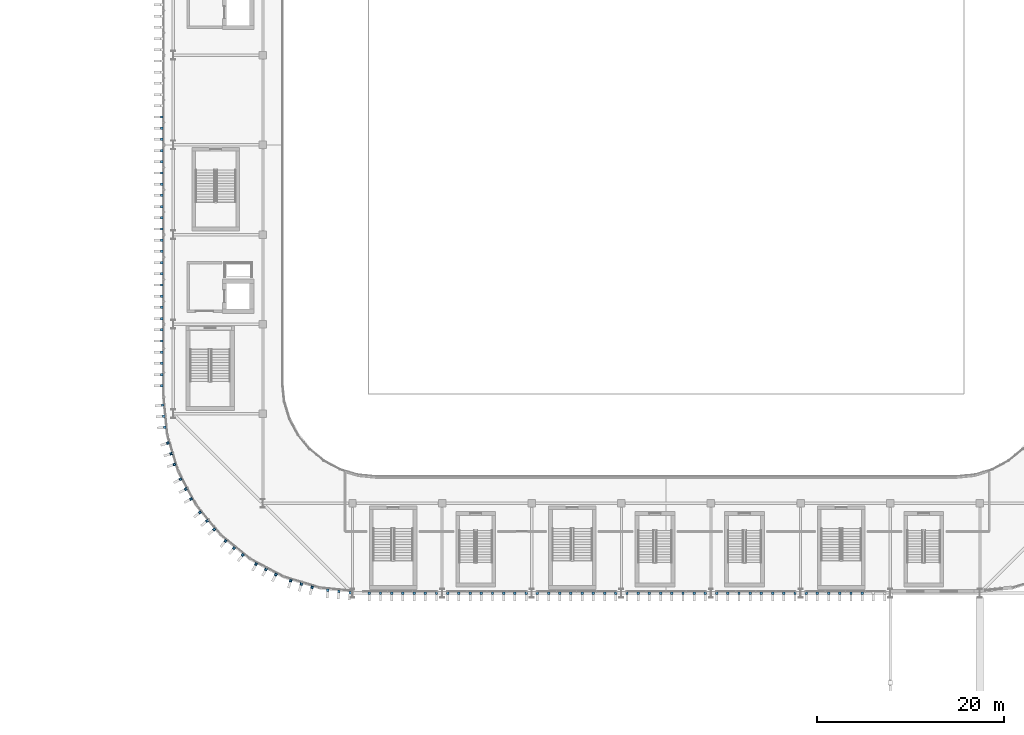
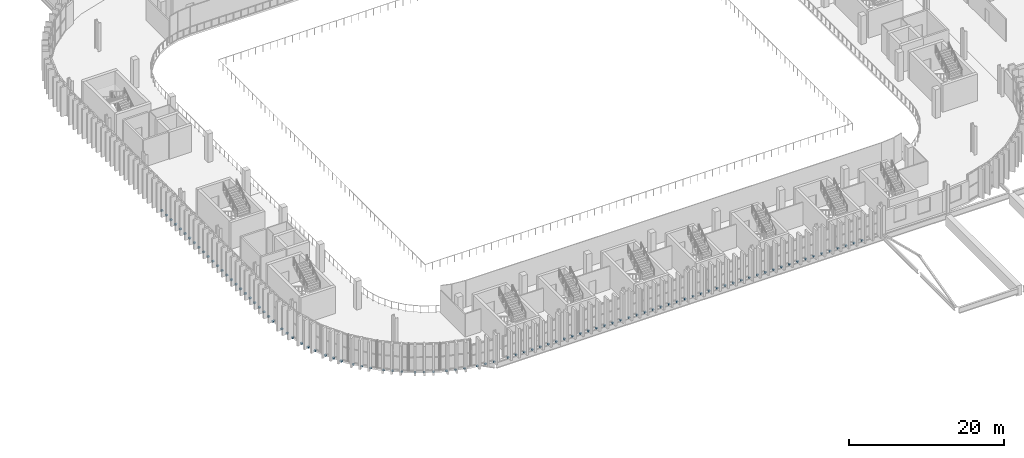
# One storey, part 57 of 75: 94 discrete accessories.
"""IFC4 building model written with IfcOpenShell, lengths in metres."""

from ifc_helpers import new_model, si_unit, direction, frame, origin, origin_2d, place, context, subcontext, project, spatial, rectangle, extrude, material, type_object, element, save


model = new_model("IFC4")

# Units and contexts
model_context = context("Model", 3, precision=1e-05, world=origin(), true_north=direction((0.0, 1.0)))
body_context = subcontext(model_context, "Body", "Model", "MODEL_VIEW")
ifc_project = project(units=[si_unit("LENGTHUNIT", "METRE"), si_unit("AREAUNIT", "SQUARE_METRE"), si_unit("VOLUMEUNIT", "CUBIC_METRE"), si_unit("PLANEANGLEUNIT", "RADIAN"), si_unit("MASSUNIT", "GRAM", prefix="KILO")], contexts=[model_context])

# Site, building, storey
site_placement = place(None, origin())
site = spatial("IfcSite", under=ifc_project, at=site_placement, CompositionType="ELEMENT")
building_placement = place(site_placement, origin())
building = spatial("IfcBuilding", under=site, at=building_placement, Name="Caelomonte Colonnade Arena", CompositionType="ELEMENT")
storey_placement = place(building_placement, frame((0.0, 0.0, 14.10009765625)))
storey = spatial("IfcBuildingStorey", under=building, at=storey_placement, Name="L03", CompositionType="ELEMENT", Elevation=14.10009765625)

# Discrete accessories
ifc_material = material(Name="Steel ASTM A572 Grade 50", Category="steel")
discrete_accessory_type = type_object("IfcDiscreteAccessoryType", Name="ENV-ACC-BRK", PredefinedType="BRACKET", material=ifc_material)
for number, where, z_axis, x_axis, name in (
    (1, (56.3701171875, 70.199951171875, -0.2099609375), (0.0, 0.0, 1.0), (0.0, -1.0, 0.0), "V1 L03 fin support bracket 190"),
    (2, (56.3701171875, 69.0, -0.2099609375), (0.0, 0.0, 1.0), (0.0, -1.0, 0.0), "V1 L03 fin support bracket 191"),
    (3, (56.3701171875, 67.800048828125, -0.2099609375), (0.0, 0.0, 1.0), (0.0, -1.0, 0.0), "V1 L03 fin support bracket 192"),
    (4, (56.3701171875, 66.60009765625, -0.2099609375), (0.0, 0.0, 1.0), (0.0, -1.0, 0.0), "V1 L03 fin support bracket 193"),
    (5, (56.3701171875, 65.39990234375, -0.2099609375), (0.0, 0.0, 1.0), (0.0, -1.0, 0.0), "V1 L03 fin support bracket 194"),
    (6, (56.3701171875, 64.199951171875, -0.2099609375), (0.0, 0.0, 1.0), (0.0, -1.0, 0.0), "V1 L03 fin support bracket 195"),
    (7, (56.3701171875, 63.0, -0.2099609375), (0.0, 0.0, 1.0), (0.0, -1.0, 0.0), "V1 L03 fin support bracket 196"),
    (8, (56.3701171875, 61.800048828125, -0.2099609375), (0.0, 0.0, 1.0), (0.0, -1.0, 0.0), "V1 L03 fin support bracket 197"),
    (9, (56.3701171875, 60.60009765625, -0.2099609375), (0.0, 0.0, 1.0), (0.0, -1.0, 0.0), "V1 L03 fin support bracket 198"),
    (10, (56.3701171875, 59.39990234375, -0.2099609375), (0.0, 0.0, 1.0), (0.0, -1.0, 0.0), "V1 L03 fin support bracket 199"),
    (11, (56.3701171875, 58.199951171875, -0.2099609375), (0.0, 0.0, 1.0), (0.0, -1.0, 0.0), "V1 L03 fin support bracket 200"),
    (12, (56.3701171875, 57.0, -0.2099609375), (0.0, 0.0, 1.0), (0.0, -1.0, 0.0), "V1 L03 fin support bracket 201"),
    (13, (56.3701171875, 55.800048828125, -0.2099609375), (0.0, 0.0, 1.0), (0.0, -1.0, 0.0), "V1 L03 fin support bracket 202"),
    (14, (56.3701171875, 54.60009765625, -0.2099609375), (0.0, 0.0, 1.0), (0.0, -1.0, 0.0), "V1 L03 fin support bracket 203"),
    (15, (56.3701171875, 53.39990234375, -0.2099609375), (0.0, 0.0, 1.0), (0.0, -1.0, 0.0), "V1 L03 fin support bracket 204"),
    (16, (56.3701171875, 52.199951171875, -0.2099609375), (0.0, 0.0, 1.0), (0.0, -1.0, 0.0), "V1 L03 fin support bracket 205"),
    (17, (56.3701171875, 51.0, -0.2099609375), (0.0, 0.0, 1.0), (0.0, -1.0, 0.0), "V1 L03 fin support bracket 206"),
    (18, (56.3701171875, 49.800048828125, -0.2099609375), (0.0, 0.0, 1.0), (0.0, -1.0, 0.0), "V1 L03 fin support bracket 207"),
    (19, (56.3701171875, 48.60009765625, -0.2099609375), (0.0, 0.0, 1.0), (0.0, -1.0, 0.0), "V1 L03 fin support bracket 208"),
    (20, (56.3701171875, 47.39990234375, -0.2099609375), (0.0, 0.0, 1.0), (0.0, -1.0, 0.0), "V1 L03 fin support bracket 209"),
    (21, (56.3701171875, 46.199951171875, -0.2099609375), (0.0, 0.0, 1.0), (0.0, -1.0, 0.0), "V1 L03 fin support bracket 210"),
    (22, (56.3701171875, 45.0, -0.2099609375), (0.0, 0.0, 1.0), (0.0, -1.0, 0.0), "V1 L03 fin support bracket 211"),
    (23, (56.3701171875, 43.800048828125, -0.2099609375), (0.0, 0.0, 1.0), (0.0, -1.0, 0.0), "V1 L03 fin support bracket 212"),
    (24, (56.3701171875, 42.60009765625, -0.2099609375), (0.0, 0.0, 1.0), (0.0, -1.0, 0.0), "V1 L03 fin support bracket 213"),
    (25, (56.3701171875, 41.39990234375, -0.2099609375), (0.0, 0.0, 1.0), (0.0, -1.0, 0.0), "V1 L03 fin support bracket 214"),
    (26, (56.454345703125, 39.3427734375, -0.2099609375), (0.0, 0.0, 1.0), (0.098015403404, -0.995184897743, 0.0), "V1 L03 fin support bracket 215"),
    (27, (56.572021484375, 38.148681640625, -0.2099609375), (0.0, 0.0, 1.0), (0.098015403404, -0.995184897743, 0.0), "V1 L03 fin support bracket 216"),
    (28, (56.689453125, 36.954345703125, -0.2099609375), (0.0, 0.0, 1.0), (0.098015403404, -0.995184897743, 0.0), "V1 L03 fin support bracket 217"),
    (29, (57.02392578125, 35.27294921875, -0.2099609375), (0.0, 0.0, 1.0), (0.290276326364, -0.956942868907, 0.0), "V1 L03 fin support bracket 218"),
    (30, (57.372314453125, 34.12451171875, -0.2099609375), (0.0, 0.0, 1.0), (0.290276326364, -0.956942868907, 0.0), "V1 L03 fin support bracket 219"),
    (31, (57.720703125, 32.976318359375, -0.2099609375), (0.0, 0.0, 1.0), (0.290276326364, -0.956942868907, 0.0), "V1 L03 fin support bracket 220"),
    (32, (58.376708984375, 31.392578125, -0.2099609375), (0.0, 0.0, 1.0), (0.471396736826, -0.881921264348, 0.0), "V1 L03 fin support bracket 221"),
    (33, (58.9423828125, 30.334228515625, -0.2099609375), (0.0, 0.0, 1.0), (0.471396736826, -0.881921264348, 0.0), "V1 L03 fin support bracket 222"),
    (34, (59.508056640625, 29.27587890625, -0.2099609375), (0.0, 0.0, 1.0), (0.471396736826, -0.881921264348, 0.0), "V1 L03 fin support bracket 223"),
    (35, (60.46044921875, 27.8505859375, -0.2099609375), (0.0, 0.0, 1.0), (0.634413521313, -0.77299384472, 0.0), "V1 L03 fin support bracket 224"),
    (36, (61.2216796875, 26.9228515625, -0.2099609375), (0.0, 0.0, 1.0), (0.634413521313, -0.77299384472, 0.0), "V1 L03 fin support bracket 225"),
    (37, (61.983154296875, 25.995361328125, -0.2099609375), (0.0, 0.0, 1.0), (0.634413521313, -0.77299384472, 0.0), "V1 L03 fin support bracket 226"),
    (38, (63.1953125, 24.783203125, -0.2099609375), (0.0, 0.0, 1.0), (0.77299384472, -0.634413521313, 0.0), "V1 L03 fin support bracket 227"),
    (39, (64.122802734375, 24.021728515625, -0.2099609375), (0.0, 0.0, 1.0), (0.77299384472, -0.634413521313, 0.0), "V1 L03 fin support bracket 228"),
    (40, (65.050537109375, 23.260498046875, -0.2099609375), (0.0, 0.0, 1.0), (0.77299384472, -0.634413521313, 0.0), "V1 L03 fin support bracket 229"),
    (41, (66.475830078125, 22.30810546875, -0.2099609375), (0.0, 0.0, 1.0), (0.881921264348, -0.471396736826, 0.0), "V1 L03 fin support bracket 230"),
    (42, (67.5341796875, 21.7421875, -0.2099609375), (0.0, 0.0, 1.0), (0.881921264348, -0.471396736826, 0.0), "V1 L03 fin support bracket 231"),
    (43, (68.592529296875, 21.1767578125, -0.2099609375), (0.0, 0.0, 1.0), (0.881921264348, -0.471396736826, 0.0), "V1 L03 fin support bracket 232"),
    (44, (70.17626953125, 20.5205078125, -0.2099609375), (0.0, 0.0, 1.0), (0.956942868907, -0.290276326364, 0.0), "V1 L03 fin support bracket 233"),
    (45, (71.32470703125, 20.17236328125, -0.2099609375), (0.0, 0.0, 1.0), (0.956942868907, -0.290276326364, 0.0), "V1 L03 fin support bracket 234"),
    (46, (72.472900390625, 19.823974609375, -0.2099609375), (0.0, 0.0, 1.0), (0.956942868907, -0.290276326364, 0.0), "V1 L03 fin support bracket 235"),
    (47, (74.154296875, 19.489501953125, -0.2099609375), (0.0, 0.0, 1.0), (0.995184897743, -0.098015403404, 0.0), "V1 L03 fin support bracket 236"),
    (48, (75.3486328125, 19.371826171875, -0.2099609375), (0.0, 0.0, 1.0), (0.995184897743, -0.098015403404, 0.0), "V1 L03 fin support bracket 237"),
    (49, (76.542724609375, 19.25439453125, -0.2099609375), (0.0, 0.0, 1.0), (0.995184897743, -0.098015403404, 0.0), "V1 L03 fin support bracket 238"),
    (50, (78.60009765625, 19.169921875, -0.2099609375), (0.0, 0.0, 1.0), (1.0, 0.0, 0.0), "V1 L03 fin support bracket 239"),
    (51, (79.800048828125, 19.169921875, -0.2099609375), (0.0, 0.0, 1.0), (1.0, 0.0, 0.0), "V1 L03 fin support bracket 240"),
    (52, (81.0, 19.169921875, -0.2099609375), (0.0, 0.0, 1.0), (1.0, 0.0, 0.0), "V1 L03 fin support bracket 241"),
    (53, (82.199951171875, 19.169921875, -0.2099609375), (0.0, 0.0, 1.0), (1.0, 0.0, 0.0), "V1 L03 fin support bracket 242"),
    (54, (83.39990234375, 19.169921875, -0.2099609375), (0.0, 0.0, 1.0), (1.0, 0.0, 0.0), "V1 L03 fin support bracket 243"),
    (55, (84.60009765625, 19.169921875, -0.2099609375), (0.0, 0.0, 1.0), (1.0, 0.0, 0.0), "V1 L03 fin support bracket 244"),
    (56, (85.800048828125, 19.169921875, -0.2099609375), (0.0, 0.0, 1.0), (1.0, 0.0, 0.0), "V1 L03 fin support bracket 245"),
    (57, (87.0, 19.169921875, -0.2099609375), (0.0, 0.0, 1.0), (1.0, 0.0, 0.0), "V1 L03 fin support bracket 246"),
    (58, (88.199951171875, 19.169921875, -0.2099609375), (0.0, 0.0, 1.0), (1.0, 0.0, 0.0), "V1 L03 fin support bracket 247"),
    (59, (89.39990234375, 19.169921875, -0.2099609375), (0.0, 0.0, 1.0), (1.0, 0.0, 0.0), "V1 L03 fin support bracket 248"),
    (60, (90.60009765625, 19.169921875, -0.2099609375), (0.0, 0.0, 1.0), (1.0, 0.0, 0.0), "V1 L03 fin support bracket 249"),
    (61, (91.800048828125, 19.169921875, -0.2099609375), (0.0, 0.0, 1.0), (1.0, 0.0, 0.0), "V1 L03 fin support bracket 250"),
    (62, (93.0, 19.169921875, -0.2099609375), (0.0, 0.0, 1.0), (1.0, 0.0, 0.0), "V1 L03 fin support bracket 251"),
    (63, (94.199951171875, 19.169921875, -0.2099609375), (0.0, 0.0, 1.0), (1.0, 0.0, 0.0), "V1 L03 fin support bracket 252"),
    (64, (95.39990234375, 19.169921875, -0.2099609375), (0.0, 0.0, 1.0), (1.0, 0.0, 0.0), "V1 L03 fin support bracket 253"),
    (65, (96.60009765625, 19.169921875, -0.2099609375), (0.0, 0.0, 1.0), (1.0, 0.0, 0.0), "V1 L03 fin support bracket 254"),
    (66, (97.800048828125, 19.169921875, -0.2099609375), (0.0, 0.0, 1.0), (1.0, 0.0, 0.0), "V1 L03 fin support bracket 255"),
    (67, (99.0, 19.169921875, -0.2099609375), (0.0, 0.0, 1.0), (1.0, 0.0, 0.0), "V1 L03 fin support bracket 256"),
    (68, (100.199951171875, 19.169921875, -0.2099609375), (0.0, 0.0, 1.0), (1.0, 0.0, 0.0), "V1 L03 fin support bracket 257"),
    (69, (101.39990234375, 19.169921875, -0.2099609375), (0.0, 0.0, 1.0), (1.0, 0.0, 0.0), "V1 L03 fin support bracket 258"),
    (70, (102.60009765625, 19.169921875, -0.2099609375), (0.0, 0.0, 1.0), (1.0, 0.0, 0.0), "V1 L03 fin support bracket 259"),
    (71, (103.800048828125, 19.169921875, -0.2099609375), (0.0, 0.0, 1.0), (1.0, 0.0, 0.0), "V1 L03 fin support bracket 260"),
    (72, (105.0, 19.169921875, -0.2099609375), (0.0, 0.0, 1.0), (1.0, 0.0, 0.0), "V1 L03 fin support bracket 261"),
    (73, (106.199951171875, 19.169921875, -0.2099609375), (0.0, 0.0, 1.0), (1.0, 0.0, 0.0), "V1 L03 fin support bracket 262"),
    (74, (107.39990234375, 19.169921875, -0.2099609375), (0.0, 0.0, 1.0), (1.0, 0.0, 0.0), "V1 L03 fin support bracket 263"),
    (75, (108.60009765625, 19.169921875, -0.2099609375), (0.0, 0.0, 1.0), (1.0, 0.0, 0.0), "V1 L03 fin support bracket 264"),
    (76, (109.800048828125, 19.169921875, -0.2099609375), (0.0, 0.0, 1.0), (1.0, 0.0, 0.0), "V1 L03 fin support bracket 265"),
    (77, (111.0, 19.169921875, -0.2099609375), (0.0, 0.0, 1.0), (1.0, 0.0, 0.0), "V1 L03 fin support bracket 266"),
    (78, (112.199951171875, 19.169921875, -0.2099609375), (0.0, 0.0, 1.0), (1.0, 0.0, 0.0), "V1 L03 fin support bracket 267"),
    (79, (113.39990234375, 19.169921875, -0.2099609375), (0.0, 0.0, 1.0), (1.0, 0.0, 0.0), "V1 L03 fin support bracket 268"),
    (80, (114.60009765625, 19.169921875, -0.2099609375), (0.0, 0.0, 1.0), (1.0, 0.0, 0.0), "V1 L03 fin support bracket 269"),
    (81, (115.800048828125, 19.169921875, -0.2099609375), (0.0, 0.0, 1.0), (1.0, 0.0, 0.0), "V1 L03 fin support bracket 270"),
    (82, (117.0, 19.169921875, -0.2099609375), (0.0, 0.0, 1.0), (1.0, 0.0, 0.0), "V1 L03 fin support bracket 271"),
    (83, (118.199951171875, 19.169921875, -0.2099609375), (0.0, 0.0, 1.0), (1.0, 0.0, 0.0), "V1 L03 fin support bracket 272"),
    (84, (119.39990234375, 19.169921875, -0.2099609375), (0.0, 0.0, 1.0), (1.0, 0.0, 0.0), "V1 L03 fin support bracket 273"),
    (85, (120.60009765625, 19.169921875, -0.2099609375), (0.0, 0.0, 1.0), (1.0, 0.0, 0.0), "V1 L03 fin support bracket 274"),
    (86, (121.800048828125, 19.169921875, -0.2099609375), (0.0, 0.0, 1.0), (1.0, 0.0, 0.0), "V1 L03 fin support bracket 275"),
    (87, (123.0, 19.169921875, -0.2099609375), (0.0, 0.0, 1.0), (1.0, 0.0, 0.0), "V1 L03 fin support bracket 276"),
    (88, (124.199951171875, 19.169921875, -0.2099609375), (0.0, 0.0, 1.0), (1.0, 0.0, 0.0), "V1 L03 fin support bracket 277"),
    (89, (125.39990234375, 19.169921875, -0.2099609375), (0.0, 0.0, 1.0), (1.0, 0.0, 0.0), "V1 L03 fin support bracket 278"),
    (90, (126.60009765625, 19.169921875, -0.2099609375), (0.0, 0.0, 1.0), (1.0, 0.0, 0.0), "V1 L03 fin support bracket 279"),
    (91, (127.800048828125, 19.169921875, -0.2099609375), (0.0, 0.0, 1.0), (1.0, 0.0, 0.0), "V1 L03 fin support bracket 280"),
    (92, (129.0, 19.169921875, -0.2099609375), (0.0, 0.0, 1.0), (1.0, 0.0, 0.0), "V1 L03 fin support bracket 281"),
    (93, (130.199951171875, 19.169921875, -0.2099609375), (0.0, 0.0, 1.0), (1.0, 0.0, 0.0), "V1 L03 fin support bracket 282"),
    (94, (131.39990234375, 19.169921875, -0.2099609375), (0.0, 0.0, 1.0), (1.0, 0.0, 0.0), "V1 L03 fin support bracket 283"),
):
    element("IfcDiscreteAccessory", number, at=place(storey_placement, frame(where, z_axis=z_axis, x_axis=x_axis)), inside=storey, type_object=discrete_accessory_type, Name=name, PredefinedType="BRACKET", context=body_context, shape_type="SweptSolid", body=[
        extrude(rectangle(XDim=0.260009765625, YDim=0.260009765625, at=origin_2d()), origin(), (0.0, 0.0, 1.0), 0.179931640625),
    ])

save(model, "model.ifc")
